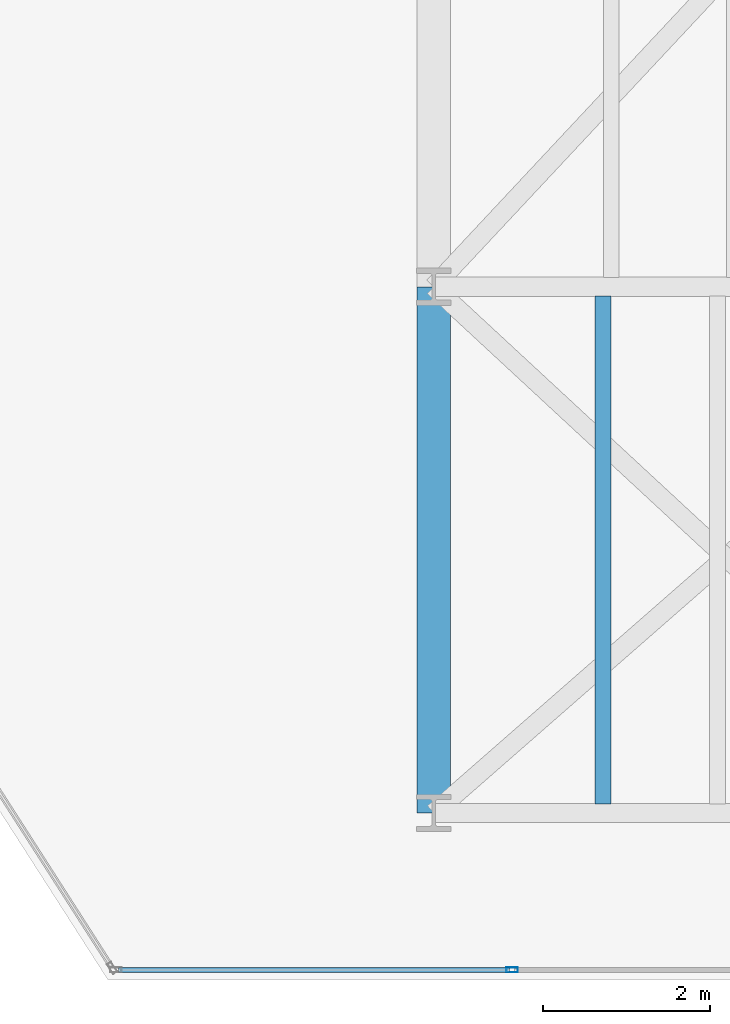
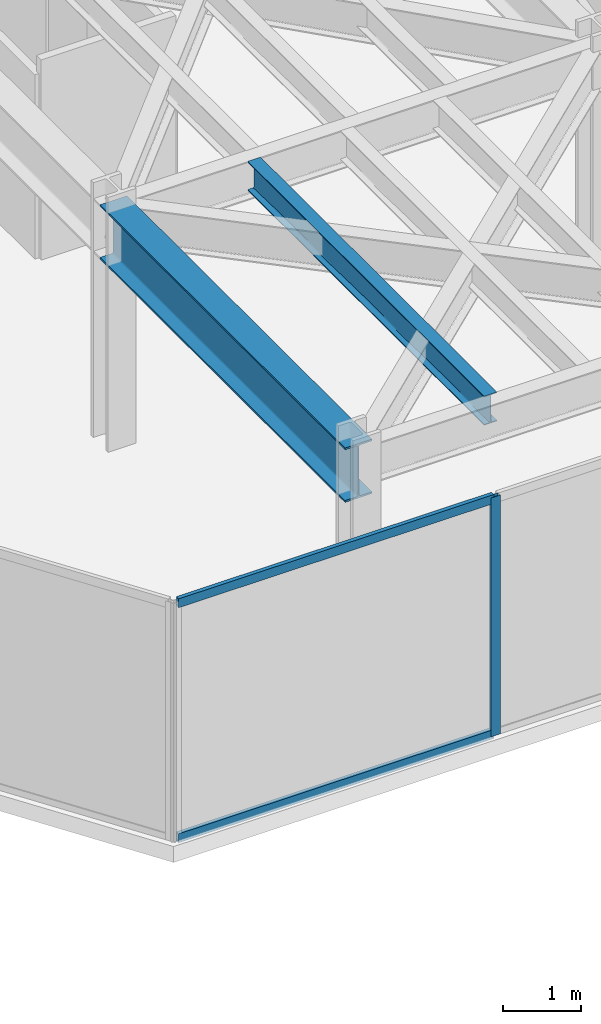
# One storey, part 16 of 26: 3 members, 2 beams, 1 element without a shape of its own.
"""IFC4 building model written with IfcOpenShell, lengths in metres."""

import ifcopenshell
import ifcopenshell.guid

model = None  # the IFC model being written
_history = None  # IfcOwnerHistory: only IFC2X3 demands one
_inside = {}  # id of a spatial element -> (the spatial element, [elements in it])
_under = {}  # id of a project, library or spatial element -> (it, [spatial elements below it])
_declared = {}  # id of a project -> (the project, [libraries it declares])
_typed = {}  # id of a type object -> (the type object, [elements of that type])
_made_of = {}  # id of a material, layer set ... -> (it, [elements and type objects made of it])


def new_model(schema):
    """Start an empty IFC model of exactly this schema.

    Asked for "IFC4X3", IfcOpenShell would pick the latest addendum, in which some entities
    have other attributes; the version numbers below select the first issue.
    IFC2X3 requires an IfcOwnerHistory on every rooted entity: one is made here for all.
    """
    global model, _history
    if schema == "IFC4X3":
        model = ifcopenshell.file(schema_version=(4, 3, 0, 0))
    else:
        model = ifcopenshell.file(schema=schema)
    _inside.clear()
    _under.clear()
    _declared.clear()
    _typed.clear()
    _made_of.clear()
    _history = None
    if model.schema == "IFC2X3":
        org = make("IfcOrganization", Name="unknown")
        user = make(
            "IfcPersonAndOrganization",
            ThePerson=make("IfcPerson", FamilyName="unknown"),
            TheOrganization=org,
        )
        app = make(
            "IfcApplication",
            ApplicationDeveloper=org,
            Version="unknown",
            ApplicationFullName="unknown",
            ApplicationIdentifier="unknown",
        )
        _history = make(
            "IfcOwnerHistory",
            OwningUser=user,
            OwningApplication=app,
            ChangeAction="ADDED",
            CreationDate=0,
        )
    return model


def make(cls, **values):
    """One entity of the class cls with the attributes given. An attribute that is None is left unset."""
    return model.create_entity(
        cls, **{name: value for name, value in values.items() if value is not None}
    )


def rooted(cls, **values):
    """An entity with a GlobalId (a new one), such as an element, a storey or a relation."""
    return make(cls, GlobalId=ifcopenshell.guid.new(), OwnerHistory=_history, **values)


def si_unit(unit_type, name, prefix=None):
    """IfcSIUnit, for example si_unit("LENGTHUNIT", "METRE", prefix="MILLI")."""
    return make("IfcSIUnit", UnitType=unit_type, Prefix=prefix, Name=name)


def assignment(units):
    """IfcUnitAssignment: the units of a project."""
    return None if units is None else make("IfcUnitAssignment", Units=units)


def point(xyz):
    """IfcCartesianPoint."""
    return None if xyz is None else make("IfcCartesianPoint", Coordinates=xyz)


def direction(xyz):
    """IfcDirection."""
    return None if xyz is None else make("IfcDirection", DirectionRatios=xyz)


def frame(location, z_axis=None, x_axis=None):
    """IfcAxis2Placement3D, a coordinate frame: its origin and axes. An axis left out is left unset."""
    return make(
        "IfcAxis2Placement3D",
        Location=point(location),
        Axis=direction(z_axis),
        RefDirection=direction(x_axis),
    )


def frame_2d(location, x_axis=None):
    """IfcAxis2Placement2D, a coordinate frame in the plane: its origin and x axis."""
    return make(
        "IfcAxis2Placement2D", Location=point(location), RefDirection=direction(x_axis)
    )


def origin():
    """The frame at (0, 0, 0) with its axes left unset."""
    return frame((0.0, 0.0, 0.0))


def origin_2d():
    """The frame at (0, 0) in the plane with its x axis left unset."""
    return frame_2d((0.0, 0.0))


def place(relative_to, where):
    """IfcLocalPlacement: puts the frame where relative to a parent placement (None: the world)."""
    return make(
        "IfcLocalPlacement", PlacementRelTo=relative_to, RelativePlacement=where
    )


def context(
    kind, dimensions, precision=None, world=None, true_north=None, identifier=None
):
    """IfcGeometricRepresentationContext, for example the 3D "Model" context."""
    return make(
        "IfcGeometricRepresentationContext",
        ContextIdentifier=identifier,
        ContextType=kind,
        CoordinateSpaceDimension=dimensions,
        Precision=precision,
        WorldCoordinateSystem=world,
        TrueNorth=true_north,
    )


def subcontext(parent, identifier, kind, view, scale=None):
    """IfcGeometricRepresentationSubContext, for example "Body" below "Model"."""
    return make(
        "IfcGeometricRepresentationSubContext",
        ContextIdentifier=identifier,
        ContextType=kind,
        ParentContext=parent,
        TargetScale=scale,
        TargetView=view,
    )


def project(units=None, contexts=None):
    """IfcProject with its units and contexts."""
    return rooted(
        "IfcProject",
        Name="project",
        RepresentationContexts=contexts,
        UnitsInContext=assignment(units),
    )


def spatial(cls, under=None, at=None, **own):
    """A site, building, storey or space (cls), placed at a placement, below another one or the project."""
    s = rooted(cls, ObjectPlacement=at, **own)
    if under is not None:
        _under.setdefault(under.id(), (under, []))[1].append(s)
    return s


def profile(cls, at=None, kind="AREA", **sizes):
    """A parametric profile (cls). Its sizes go by their IFC names, for example OverallWidth=200.0."""
    return make(cls, ProfileType=kind, Position=at, **sizes)


def hollow_rectangle(**sizes):
    """IfcRectangleHollowProfileDef."""
    return profile("IfcRectangleHollowProfileDef", **sizes)


def i_section(**sizes):
    """IfcIShapeProfileDef."""
    return profile("IfcIShapeProfileDef", **sizes)


def extrude(swept, where, along, depth):
    """IfcExtrudedAreaSolid: the profile swept, set in the frame where, extruded along a direction by depth."""
    return make(
        "IfcExtrudedAreaSolid",
        SweptArea=swept,
        Position=where,
        ExtrudedDirection=direction(along),
        Depth=depth,
    )


def shape(context_of_items, identifier, shape_type, items):
    """IfcShapeRepresentation: the items that make up one representation, for example the "Body"."""
    return make(
        "IfcShapeRepresentation",
        ContextOfItems=context_of_items,
        RepresentationIdentifier=identifier,
        RepresentationType=shape_type,
        Items=items,
    )


def material(Name=None, Category=None):
    """IfcMaterial."""
    return make("IfcMaterial", Name=Name, Category=Category)


def layer(
    of_material, thickness, ventilated=None, Name=None, Category=None, Priority=None
):
    """IfcMaterialLayer: one layer of a wall or slab, of a material (None: an air gap)."""
    return make(
        "IfcMaterialLayer",
        Material=of_material,
        LayerThickness=thickness,
        IsVentilated=ventilated,
        Name=Name,
        Category=Category,
        Priority=Priority,
    )


def layer_set(layers, Name=None):
    """IfcMaterialLayerSet."""
    return make("IfcMaterialLayerSet", MaterialLayers=layers, LayerSetName=Name)


def material_profile(
    of_material, cross_section, Name=None, Category=None, Priority=None
):
    """IfcMaterialProfile: a cross section and its material."""
    return make(
        "IfcMaterialProfile",
        Name=Name,
        Material=of_material,
        Profile=cross_section,
        Priority=Priority,
        Category=Category,
    )


def profile_set(profiles, Name=None, composite=None):
    """IfcMaterialProfileSet."""
    return make(
        "IfcMaterialProfileSet",
        Name=Name,
        MaterialProfiles=profiles,
        CompositeProfile=composite,
    )


def made_of(thing, what):
    """Note that an element or type object is made of a material, layer set ...; save() writes the relation."""
    if what is not None:
        _made_of.setdefault(what.id(), (what, []))[1].append(thing)
    return thing


def type_object(cls, material=None, **own):
    """A type object (cls), such as IfcWallType, which elements share."""
    return made_of(rooted(cls, **own), material)


def element(
    cls,
    number,
    at=None,
    inside=None,
    cuts=None,
    type_object=None,
    material=None,
    context=None,
    identifier="Body",
    shape_type=None,
    held_by="IfcProductDefinitionShape",
    body=None,
    shapes=None,
    **own,
):
    """One element of the class cls, such as IfcWall. Its Tag is "e" and its number.

    at: its placement. inside: the storey or other place that contains it. cuts: it is an
    opening in that element (IfcRelVoidsElement). A single representation is given by context,
    identifier, shape_type and body (its items); several are given by shapes. held_by: the class
    of the entity that holds the representations. save() writes the other relations.
    """
    e = rooted(cls, Tag="e%d" % number, ObjectPlacement=at, **own)
    if body is not None:
        shapes = [shape(context, identifier, shape_type, body)]
    if shapes is not None:
        e.Representation = make(held_by, Representations=shapes)
    if inside is not None:
        _inside.setdefault(inside.id(), (inside, []))[1].append(e)
    if cuts is not None:
        rooted(
            "IfcRelVoidsElement", RelatingBuildingElement=cuts, RelatedOpeningElement=e
        )
    if type_object is not None:
        _typed.setdefault(type_object.id(), (type_object, []))[1].append(e)
    return made_of(e, material)


def aggregate(whole, parts):
    """IfcRelAggregates: a whole, such as a stair, and the parts it consists of."""
    return rooted("IfcRelAggregates", RelatingObject=whole, RelatedObjects=parts)


def save(model, path):
    """Write the relations noted so far, then the file.

    IfcRelAggregates (storeys below a building ...), IfcRelContainedInSpatialStructure (elements
    in a storey), IfcRelDefinesByType, IfcRelAssociatesMaterial and IfcRelDeclares: one each for
    every whole, place, type object, material and project.
    """
    for whole, parts in _under.values():
        aggregate(whole, parts)
    for where, things in _inside.values():
        rooted(
            "IfcRelContainedInSpatialStructure",
            RelatedElements=things,
            RelatingStructure=where,
        )
    for kind, things in _typed.values():
        rooted("IfcRelDefinesByType", RelatedObjects=things, RelatingType=kind)
    for what, things in _made_of.values():
        rooted("IfcRelAssociatesMaterial", RelatedObjects=things, RelatingMaterial=what)
    for by, libraries in _declared.values():
        rooted("IfcRelDeclares", RelatingContext=by, RelatedDefinitions=libraries)
    model.write(path)


model = new_model("IFC4")

# Units and contexts
model_context = context("Model", 3, precision=1e-05, world=origin(), true_north=direction((0.0, 1.0)))
body_context = subcontext(model_context, "Body", "Model", "MODEL_VIEW")
ifc_project = project(units=[si_unit("LENGTHUNIT", "METRE"), si_unit("AREAUNIT", "SQUARE_METRE"), si_unit("VOLUMEUNIT", "CUBIC_METRE"), si_unit("PLANEANGLEUNIT", "RADIAN"), si_unit("MASSUNIT", "GRAM", prefix="KILO")], contexts=[model_context])

# Site, building, storey
site_placement = place(None, origin())
site = spatial("IfcSite", under=ifc_project, at=site_placement, CompositionType="ELEMENT")
building_placement = place(site_placement, origin())
building = spatial("IfcBuilding", under=site, at=building_placement, Name="Kravanh Interchange Tower", CompositionType="ELEMENT")
storey_placement = place(building_placement, frame((0.0, 0.0, 128.0)))
storey = spatial("IfcBuildingStorey", under=building, at=storey_placement, Name="L30", CompositionType="ELEMENT", Elevation=128.0)

# Curtain wall, members
ifc_material_1 = material(Name="Anodised Bronze Aluminium", Category="aluminium")
ifc_layer = layer(ifc_material_1, 0.179931640625)
ifc_layer_set = layer_set([ifc_layer], Name="Unitised Curtain Wall System CW-Z2 Mid Office")
curtain_wall_type = type_object("IfcCurtainWallType", Name="Unitised Curtain Wall System CW-Z2 Mid Office", PredefinedType="NOTDEFINED", material=ifc_layer_set)
curtain_wall_placement = place(storey_placement, origin())
curtain_wall = element("IfcCurtainWall", 1, at=curtain_wall_placement, inside=storey, type_object=curtain_wall_type, Name="L30 Unitised Curtain Wall CW-L30-03", PredefinedType="NOTDEFINED")
ifc_material_2 = material(Name="Anodised Bronze Aluminium", Category="aluminium")
ifc_material_profile_1 = material_profile(ifc_material_2, hollow_rectangle(XDim=0.06005859375, YDim=0.139892578125, WallThickness=0.00390625, at=origin_2d()), Name="ALU60X140X4")
ifc_profile_set_1 = profile_set([ifc_material_profile_1], Name="Anodised Bronze Aluminium")
member_type_1 = type_object("IfcMemberType", Name="Curtain Wall Mullion ALU60X140X4 Bronze", PredefinedType="MULLION", material=ifc_profile_set_1)
member_1_placement = place(storey_placement, frame((56.93798828125, 6.320068359375, 0.0), z_axis=(0.0, 0.0, 1.0), x_axis=(0.0, -1.0, 0.0)))
member_1 = element("IfcMember", 2, at=member_1_placement, type_object=member_type_1, Name="CW-Z2 mullion 2", PredefinedType="MULLION", context=body_context, shape_type="SweptSolid", body=[
    extrude(hollow_rectangle(XDim=0.06005859375, YDim=0.139892578125, WallThickness=0.00390625, at=origin_2d()), origin(), (0.0, 0.0, 1.0), 3.75),
])
ifc_material_3 = material(Name="Anodised Bronze Aluminium", Category="aluminium")
ifc_material_profile_2 = material_profile(ifc_material_3, hollow_rectangle(XDim=0.06005859375, YDim=0.139892578125, WallThickness=0.00390625, at=origin_2d()), Name="ALU60X140X4")
ifc_profile_set_2 = profile_set([ifc_material_profile_2], Name="Anodised Bronze Aluminium")
member_type_2 = type_object("IfcMemberType", Name="Curtain Wall Transom ALU60X140X4 Bronze", PredefinedType="USERDEFINED", material=ifc_profile_set_2)
member_2_placement = place(storey_placement, frame((56.907958984375, 6.320068359375, 0.030029296875), z_axis=(-1.0, 0.0, 0.0), x_axis=(0.0, -1.0, 0.0)))
member_2 = element("IfcMember", 3, at=member_2_placement, type_object=member_type_2, Name="CW-Z2 transom 2.1", ObjectType="TRANSOM", PredefinedType="USERDEFINED", context=body_context, shape_type="SweptSolid", body=[
    extrude(hollow_rectangle(XDim=0.06005859375, YDim=0.139892578125, WallThickness=0.00390625, at=origin_2d()), origin(), (0.0, 0.0, 1.0), 4.682373046875),
])
member_3_placement = place(storey_placement, frame((56.907958984375, 6.320068359375, 3.719970703125), z_axis=(-1.0, 0.0, 0.0), x_axis=(0.0, -1.0, 0.0)))
member_3 = element("IfcMember", 4, at=member_3_placement, type_object=member_type_2, Name="CW-Z2 transom 2.2", ObjectType="TRANSOM", PredefinedType="USERDEFINED", context=body_context, shape_type="SweptSolid", body=[
    extrude(hollow_rectangle(XDim=0.06005859375, YDim=0.139892578125, WallThickness=0.00390625, at=origin_2d()), origin(), (0.0, 0.0, 1.0), 4.682373046875),
])
aggregate(curtain_wall, [member_1, member_2, member_3])

# Beams
ifc_material_4 = material(Name="Structural Steel S355", Category="steel")
ifc_material_profile_3 = material_profile(ifc_material_4, i_section(OverallWidth=0.39990234375, OverallDepth=0.85595703125, WebThickness=0.018310546875, FlangeThickness=0.029296875, FilletRadius=0.02490234375, at=origin_2d()), Name="W33X201")
ifc_profile_set_3 = profile_set([ifc_material_profile_3], Name="Structural Steel S355")
beam_type_1 = type_object("IfcBeamType", Name="Floor Beam W33X201 Structural Steel S355", PredefinedType="BEAM", material=ifc_profile_set_3)
beam_1_placement = place(storey_placement, frame((56.0, 8.199951171875, 3.322021484375), z_axis=(0.0, 1.0, 0.0), x_axis=(-1.0, 0.0, 0.0)))
element("IfcBeam", 5, at=beam_1_placement, inside=storey, type_object=beam_type_1, Name="L30 Primary Floor Girder 95", PredefinedType="BEAM", context=body_context, shape_type="SweptSolid", body=[
    extrude(i_section(OverallWidth=0.39990234375, OverallDepth=0.85595703125, WebThickness=0.018310546875, FlangeThickness=0.029296875, FilletRadius=0.02490234375, at=origin_2d()), origin(), (0.0, 0.0, 1.0), 6.300048828125),
])
ifc_material_5 = material(Name="Structural Steel S355", Category="steel")
ifc_material_profile_4 = material_profile(ifc_material_5, i_section(OverallWidth=0.18994140625, OverallDepth=0.45703125, WebThickness=0.009033203125, FlangeThickness=0.014404296875, FilletRadius=0.01806640625, at=origin_2d()), Name="W18X50")
ifc_profile_set_4 = profile_set([ifc_material_profile_4], Name="Structural Steel S355")
beam_type_2 = type_object("IfcBeamType", Name="Floor Joist W18X50 Structural Steel S355", PredefinedType="JOIST", material=ifc_profile_set_4)
beam_2_placement = place(storey_placement, frame((58.02490234375, 8.30908203125, 3.521484375), z_axis=(0.0, 1.0, 0.0), x_axis=(-1.0, 0.0, 0.0)))
element("IfcBeam", 6, at=beam_2_placement, inside=storey, type_object=beam_type_2, Name="L30 Secondary Floor Joist 4", PredefinedType="JOIST", context=body_context, shape_type="SweptSolid", body=[
    extrude(i_section(OverallWidth=0.18994140625, OverallDepth=0.45703125, WebThickness=0.009033203125, FlangeThickness=0.014404296875, FilletRadius=0.01806640625, at=origin_2d()), origin(), (0.0, 0.0, 1.0), 6.08203125),
])

save(model, "model.ifc")
